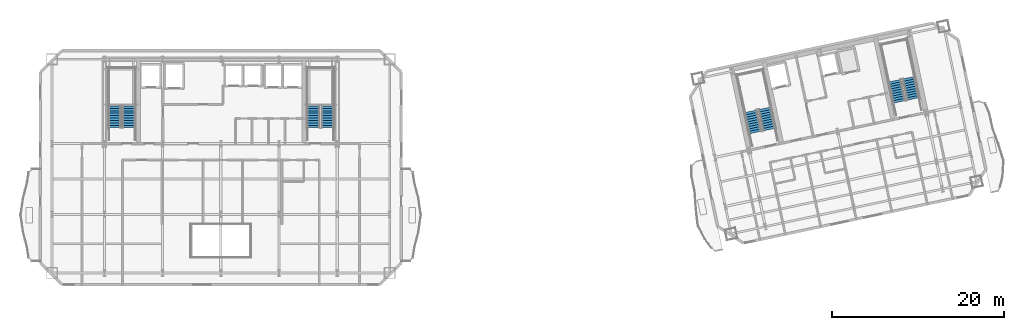
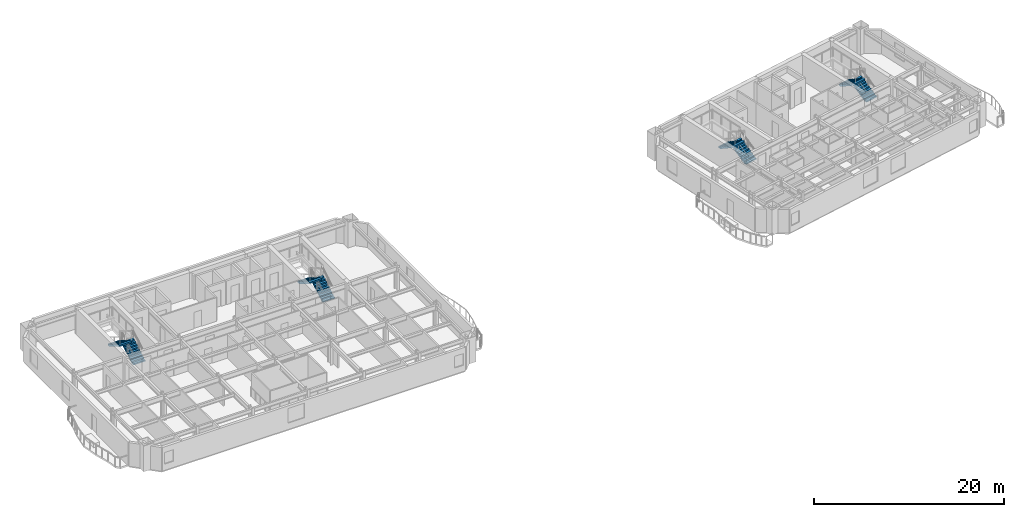
# One storey, part 9 of 14: 8 stair flights, 4 elements without a shape of their own.
"""IFC4 building model written with IfcOpenShell, lengths in metres."""

import ifcopenshell
import ifcopenshell.guid

model = None  # the IFC model being written
_history = None  # IfcOwnerHistory: only IFC2X3 demands one
_inside = {}  # id of a spatial element -> (the spatial element, [elements in it])
_under = {}  # id of a project, library or spatial element -> (it, [spatial elements below it])
_declared = {}  # id of a project -> (the project, [libraries it declares])
_typed = {}  # id of a type object -> (the type object, [elements of that type])
_made_of = {}  # id of a material, layer set ... -> (it, [elements and type objects made of it])


def new_model(schema):
    """Start an empty IFC model of exactly this schema.

    Asked for "IFC4X3", IfcOpenShell would pick the latest addendum, in which some entities
    have other attributes; the version numbers below select the first issue.
    IFC2X3 requires an IfcOwnerHistory on every rooted entity: one is made here for all.
    """
    global model, _history
    if schema == "IFC4X3":
        model = ifcopenshell.file(schema_version=(4, 3, 0, 0))
    else:
        model = ifcopenshell.file(schema=schema)
    _inside.clear()
    _under.clear()
    _declared.clear()
    _typed.clear()
    _made_of.clear()
    _history = None
    if model.schema == "IFC2X3":
        org = make("IfcOrganization", Name="unknown")
        user = make(
            "IfcPersonAndOrganization",
            ThePerson=make("IfcPerson", FamilyName="unknown"),
            TheOrganization=org,
        )
        app = make(
            "IfcApplication",
            ApplicationDeveloper=org,
            Version="unknown",
            ApplicationFullName="unknown",
            ApplicationIdentifier="unknown",
        )
        _history = make(
            "IfcOwnerHistory",
            OwningUser=user,
            OwningApplication=app,
            ChangeAction="ADDED",
            CreationDate=0,
        )
    return model


def make(cls, **values):
    """One entity of the class cls with the attributes given. An attribute that is None is left unset."""
    return model.create_entity(
        cls, **{name: value for name, value in values.items() if value is not None}
    )


def rooted(cls, **values):
    """An entity with a GlobalId (a new one), such as an element, a storey or a relation."""
    return make(cls, GlobalId=ifcopenshell.guid.new(), OwnerHistory=_history, **values)


def si_unit(unit_type, name, prefix=None):
    """IfcSIUnit, for example si_unit("LENGTHUNIT", "METRE", prefix="MILLI")."""
    return make("IfcSIUnit", UnitType=unit_type, Prefix=prefix, Name=name)


def assignment(units):
    """IfcUnitAssignment: the units of a project."""
    return None if units is None else make("IfcUnitAssignment", Units=units)


def point(xyz):
    """IfcCartesianPoint."""
    return None if xyz is None else make("IfcCartesianPoint", Coordinates=xyz)


def direction(xyz):
    """IfcDirection."""
    return None if xyz is None else make("IfcDirection", DirectionRatios=xyz)


def frame(location, z_axis=None, x_axis=None):
    """IfcAxis2Placement3D, a coordinate frame: its origin and axes. An axis left out is left unset."""
    return make(
        "IfcAxis2Placement3D",
        Location=point(location),
        Axis=direction(z_axis),
        RefDirection=direction(x_axis),
    )


def origin():
    """The frame at (0, 0, 0) with its axes left unset."""
    return frame((0.0, 0.0, 0.0))


def place(relative_to, where):
    """IfcLocalPlacement: puts the frame where relative to a parent placement (None: the world)."""
    return make(
        "IfcLocalPlacement", PlacementRelTo=relative_to, RelativePlacement=where
    )


def context(
    kind, dimensions, precision=None, world=None, true_north=None, identifier=None
):
    """IfcGeometricRepresentationContext, for example the 3D "Model" context."""
    return make(
        "IfcGeometricRepresentationContext",
        ContextIdentifier=identifier,
        ContextType=kind,
        CoordinateSpaceDimension=dimensions,
        Precision=precision,
        WorldCoordinateSystem=world,
        TrueNorth=true_north,
    )


def subcontext(parent, identifier, kind, view, scale=None):
    """IfcGeometricRepresentationSubContext, for example "Body" below "Model"."""
    return make(
        "IfcGeometricRepresentationSubContext",
        ContextIdentifier=identifier,
        ContextType=kind,
        ParentContext=parent,
        TargetScale=scale,
        TargetView=view,
    )


def project(units=None, contexts=None):
    """IfcProject with its units and contexts."""
    return rooted(
        "IfcProject",
        Name="project",
        RepresentationContexts=contexts,
        UnitsInContext=assignment(units),
    )


def spatial(cls, under=None, at=None, **own):
    """A site, building, storey or space (cls), placed at a placement, below another one or the project."""
    s = rooted(cls, ObjectPlacement=at, **own)
    if under is not None:
        _under.setdefault(under.id(), (under, []))[1].append(s)
    return s


def polyline(points):
    """IfcPolyline through the points."""
    return make("IfcPolyline", Points=[point(p) for p in points])


def outline(outer, holes=None, kind="AREA"):
    """IfcArbitraryClosedProfileDef: a profile drawn as a closed curve; with holes, ...WithVoids."""
    if holes is None:
        return make("IfcArbitraryClosedProfileDef", ProfileType=kind, OuterCurve=outer)
    return make(
        "IfcArbitraryProfileDefWithVoids",
        ProfileType=kind,
        OuterCurve=outer,
        InnerCurves=holes,
    )


def extrude(swept, where, along, depth):
    """IfcExtrudedAreaSolid: the profile swept, set in the frame where, extruded along a direction by depth."""
    return make(
        "IfcExtrudedAreaSolid",
        SweptArea=swept,
        Position=where,
        ExtrudedDirection=direction(along),
        Depth=depth,
    )


def shape(context_of_items, identifier, shape_type, items):
    """IfcShapeRepresentation: the items that make up one representation, for example the "Body"."""
    return make(
        "IfcShapeRepresentation",
        ContextOfItems=context_of_items,
        RepresentationIdentifier=identifier,
        RepresentationType=shape_type,
        Items=items,
    )


def material(Name=None, Category=None):
    """IfcMaterial."""
    return make("IfcMaterial", Name=Name, Category=Category)


def made_of(thing, what):
    """Note that an element or type object is made of a material, layer set ...; save() writes the relation."""
    if what is not None:
        _made_of.setdefault(what.id(), (what, []))[1].append(thing)
    return thing


def type_object(cls, material=None, **own):
    """A type object (cls), such as IfcWallType, which elements share."""
    return made_of(rooted(cls, **own), material)


def element(
    cls,
    number,
    at=None,
    inside=None,
    cuts=None,
    type_object=None,
    material=None,
    context=None,
    identifier="Body",
    shape_type=None,
    held_by="IfcProductDefinitionShape",
    body=None,
    shapes=None,
    **own,
):
    """One element of the class cls, such as IfcWall. Its Tag is "e" and its number.

    at: its placement. inside: the storey or other place that contains it. cuts: it is an
    opening in that element (IfcRelVoidsElement). A single representation is given by context,
    identifier, shape_type and body (its items); several are given by shapes. held_by: the class
    of the entity that holds the representations. save() writes the other relations.
    """
    e = rooted(cls, Tag="e%d" % number, ObjectPlacement=at, **own)
    if body is not None:
        shapes = [shape(context, identifier, shape_type, body)]
    if shapes is not None:
        e.Representation = make(held_by, Representations=shapes)
    if inside is not None:
        _inside.setdefault(inside.id(), (inside, []))[1].append(e)
    if cuts is not None:
        rooted(
            "IfcRelVoidsElement", RelatingBuildingElement=cuts, RelatedOpeningElement=e
        )
    if type_object is not None:
        _typed.setdefault(type_object.id(), (type_object, []))[1].append(e)
    return made_of(e, material)


def aggregate(whole, parts):
    """IfcRelAggregates: a whole, such as a stair, and the parts it consists of."""
    return rooted("IfcRelAggregates", RelatingObject=whole, RelatedObjects=parts)


def save(model, path):
    """Write the relations noted so far, then the file.

    IfcRelAggregates (storeys below a building ...), IfcRelContainedInSpatialStructure (elements
    in a storey), IfcRelDefinesByType, IfcRelAssociatesMaterial and IfcRelDeclares: one each for
    every whole, place, type object, material and project.
    """
    for whole, parts in _under.values():
        aggregate(whole, parts)
    for where, things in _inside.values():
        rooted(
            "IfcRelContainedInSpatialStructure",
            RelatedElements=things,
            RelatingStructure=where,
        )
    for kind, things in _typed.values():
        rooted("IfcRelDefinesByType", RelatedObjects=things, RelatingType=kind)
    for what, things in _made_of.values():
        rooted("IfcRelAssociatesMaterial", RelatedObjects=things, RelatingMaterial=what)
    for by, libraries in _declared.values():
        rooted("IfcRelDeclares", RelatingContext=by, RelatedDefinitions=libraries)
    model.write(path)


model = new_model("IFC4")

# Units and contexts
model_context = context("Model", 3, precision=1e-05, world=origin(), true_north=direction((0.0, 1.0)))
body_context = subcontext(model_context, "Body", "Model", "MODEL_VIEW")
ifc_project = project(units=[si_unit("LENGTHUNIT", "METRE"), si_unit("AREAUNIT", "SQUARE_METRE"), si_unit("VOLUMEUNIT", "CUBIC_METRE"), si_unit("PLANEANGLEUNIT", "RADIAN"), si_unit("MASSUNIT", "GRAM", prefix="KILO")], contexts=[model_context])

# Site, building, storey
site_placement = place(None, origin())
site = spatial("IfcSite", under=ifc_project, at=site_placement, CompositionType="ELEMENT")
building_placement = place(site_placement, origin())
building = spatial("IfcBuilding", under=site, at=building_placement, Name="Haevon Station Towers", CompositionType="ELEMENT")
storey_placement = place(building_placement, frame((0.0, 0.0, 169.199951171875)))
storey = spatial("IfcBuildingStorey", under=building, at=storey_placement, Name="L46", CompositionType="ELEMENT", Elevation=169.199951171875)

# Stair, stair flights
ifc_material = material(Name="Concrete C40/50", Category="concrete")
stair_type = type_object("IfcStairType", Name="STR-DL1450", PredefinedType="USERDEFINED", material=ifc_material)
stair_1_placement = place(storey_placement, origin())
stair_1 = element("IfcStair", 1, at=stair_1_placement, inside=storey, type_object=stair_type, Name="L46 Escape Stair ST1", ObjectType="TWO_RETURN_STAIR", PredefinedType="USERDEFINED")
stair_flight_type = type_object("IfcStairFlightType", Name="STF-ST1450", PredefinedType="STRAIGHT", material=ifc_material)
stair_flight_1_placement = place(storey_placement, frame((26.85498046875, 40.050048828125, 0.0), z_axis=(0.0, 0.0, 1.0), x_axis=(0.0, 1.0, 0.0)))
stair_flight_1 = element("IfcStairFlight", 2, at=stair_flight_1_placement, type_object=stair_flight_type, Name="L46 ST1 Flight 1", NumberOfRisers=10, NumberOfTreads=9, PredefinedType="STRAIGHT", RiserHeight=0.165, TreadLength=0.28, context=body_context, shape_type="SweptSolid", body=[
    extrude(outline(polyline([(0.0, 0.0), (0.0, 0.1650390625), (0.280029296875, 0.1650390625), (0.280029296875, 0.330078125), (0.56005859375, 0.330078125), (0.56005859375, 0.4951171875), (0.840087890625, 0.4951171875), (0.840087890625, 0.659912109375), (1.1201171875, 0.659912109375), (1.1201171875, 0.824951171875), (1.39990234375, 0.824951171875), (1.39990234375, 0.989990234375), (1.679931640625, 0.989990234375), (1.679931640625, 1.155029296875), (1.9599609375, 1.155029296875), (1.9599609375, 1.320068359375), (2.239990234375, 1.320068359375), (2.239990234375, 1.485107421875), (2.52001953125, 1.485107421875), (2.52001953125, 1.64990234375), (2.52001953125, 1.29931640625), (0.31494140625, 0.0), (0.0, 0.0)])), frame((0.0, 0.72509765625, 0.0), z_axis=(0.0, -1.0, 0.0), x_axis=(1.0, 0.0, 0.0)), (0.0, 0.0, 1.0), 1.449951171875),
])
stair_flight_2_placement = place(storey_placement, frame((25.205078125, 42.570068359375, 1.650146484375), z_axis=(0.0, 0.0, 1.0), x_axis=(0.0, -1.0, 0.0)))
stair_flight_2 = element("IfcStairFlight", 3, at=stair_flight_2_placement, type_object=stair_flight_type, Name="L46 ST1 Flight 2", NumberOfRisers=10, NumberOfTreads=9, PredefinedType="STRAIGHT", RiserHeight=0.165, TreadLength=0.28, context=body_context, shape_type="SweptSolid", body=[
    extrude(outline(polyline([(0.0, 0.0), (0.0, 0.1650390625), (0.280029296875, 0.1650390625), (0.280029296875, 0.330078125), (0.56005859375, 0.330078125), (0.56005859375, 0.4951171875), (0.840087890625, 0.4951171875), (0.840087890625, 0.659912109375), (1.1201171875, 0.659912109375), (1.1201171875, 0.824951171875), (1.39990234375, 0.824951171875), (1.39990234375, 0.989990234375), (1.679931640625, 0.989990234375), (1.679931640625, 1.155029296875), (1.9599609375, 1.155029296875), (1.9599609375, 1.320068359375), (2.239990234375, 1.320068359375), (2.239990234375, 1.485107421875), (2.52001953125, 1.485107421875), (2.52001953125, 1.64990234375), (2.52001953125, 1.29931640625), (0.31494140625, 0.0), (0.0, 0.0)])), frame((0.0, 0.72509765625, 0.0), z_axis=(0.0, -1.0, 0.0), x_axis=(1.0, 0.0, 0.0)), (0.0, 0.0, 1.0), 1.449951171875),
])
aggregate(stair_1, [stair_flight_1, stair_flight_2])

stair_2_placement = place(storey_placement, origin())
stair_2 = element("IfcStair", 4, at=stair_2_placement, inside=storey, type_object=stair_type, Name="L46 Escape Stair ST2", ObjectType="TWO_RETURN_STAIR", PredefinedType="USERDEFINED")
stair_flight_3_placement = place(storey_placement, frame((49.89501953125, 40.050048828125, 0.0), z_axis=(0.0, 0.0, 1.0), x_axis=(0.0, 1.0, 0.0)))
stair_flight_3 = element("IfcStairFlight", 5, at=stair_flight_3_placement, type_object=stair_flight_type, Name="L46 ST2 Flight 1", NumberOfRisers=10, NumberOfTreads=9, PredefinedType="STRAIGHT", RiserHeight=0.165, TreadLength=0.28, context=body_context, shape_type="SweptSolid", body=[
    extrude(outline(polyline([(0.0, 0.0), (0.0, 0.1650390625), (0.280029296875, 0.1650390625), (0.280029296875, 0.330078125), (0.56005859375, 0.330078125), (0.56005859375, 0.4951171875), (0.840087890625, 0.4951171875), (0.840087890625, 0.659912109375), (1.1201171875, 0.659912109375), (1.1201171875, 0.824951171875), (1.39990234375, 0.824951171875), (1.39990234375, 0.989990234375), (1.679931640625, 0.989990234375), (1.679931640625, 1.155029296875), (1.9599609375, 1.155029296875), (1.9599609375, 1.320068359375), (2.239990234375, 1.320068359375), (2.239990234375, 1.485107421875), (2.52001953125, 1.485107421875), (2.52001953125, 1.64990234375), (2.52001953125, 1.29931640625), (0.31494140625, 0.0), (0.0, 0.0)])), frame((0.0, 0.72509765625, 0.0), z_axis=(0.0, -1.0, 0.0), x_axis=(1.0, 0.0, 0.0)), (0.0, 0.0, 1.0), 1.449951171875),
])
stair_flight_4_placement = place(storey_placement, frame((48.2451171875, 42.570068359375, 1.650146484375), z_axis=(0.0, 0.0, 1.0), x_axis=(0.0, -1.0, 0.0)))
stair_flight_4 = element("IfcStairFlight", 6, at=stair_flight_4_placement, type_object=stair_flight_type, Name="L46 ST2 Flight 2", NumberOfRisers=10, NumberOfTreads=9, PredefinedType="STRAIGHT", RiserHeight=0.165, TreadLength=0.28, context=body_context, shape_type="SweptSolid", body=[
    extrude(outline(polyline([(0.0, 0.0), (0.0, 0.1650390625), (0.280029296875, 0.1650390625), (0.280029296875, 0.330078125), (0.56005859375, 0.330078125), (0.56005859375, 0.4951171875), (0.840087890625, 0.4951171875), (0.840087890625, 0.659912109375), (1.1201171875, 0.659912109375), (1.1201171875, 0.824951171875), (1.39990234375, 0.824951171875), (1.39990234375, 0.989990234375), (1.679931640625, 0.989990234375), (1.679931640625, 1.155029296875), (1.9599609375, 1.155029296875), (1.9599609375, 1.320068359375), (2.239990234375, 1.320068359375), (2.239990234375, 1.485107421875), (2.52001953125, 1.485107421875), (2.52001953125, 1.64990234375), (2.52001953125, 1.29931640625), (0.31494140625, 0.0), (0.0, 0.0)])), frame((0.0, 0.72509765625, 0.0), z_axis=(0.0, -1.0, 0.0), x_axis=(1.0, 0.0, 0.0)), (0.0, 0.0, 1.0), 1.449951171875),
])
aggregate(stair_2, [stair_flight_3, stair_flight_4])

stair_3_placement = place(storey_placement, origin())
stair_3 = element("IfcStair", 7, at=stair_3_placement, inside=storey, type_object=stair_type, Name="L46 Escape Stair ST3", ObjectType="TWO_RETURN_STAIR", PredefinedType="USERDEFINED")
stair_flight_5_placement = place(storey_placement, frame((101.1015625, 39.8330078125, 0.0), z_axis=(0.0, 0.0, 1.0), x_axis=(-0.207911690818, 0.978147600734, 0.0)))
stair_flight_5 = element("IfcStairFlight", 8, at=stair_flight_5_placement, type_object=stair_flight_type, Name="L46 ST3 Flight 1", NumberOfRisers=10, NumberOfTreads=9, PredefinedType="STRAIGHT", RiserHeight=0.165, TreadLength=0.28, context=body_context, shape_type="SweptSolid", body=[
    extrude(outline(polyline([(0.0, 0.0), (0.0, 0.1650390625), (0.280029296875, 0.1650390625), (0.280029296875, 0.330078125), (0.56005859375, 0.330078125), (0.56005859375, 0.4951171875), (0.840087890625, 0.4951171875), (0.840087890625, 0.659912109375), (1.1201171875, 0.659912109375), (1.1201171875, 0.824951171875), (1.39990234375, 0.824951171875), (1.39990234375, 0.989990234375), (1.679931640625, 0.989990234375), (1.679931640625, 1.155029296875), (1.9599609375, 1.155029296875), (1.9599609375, 1.320068359375), (2.239990234375, 1.320068359375), (2.239990234375, 1.485107421875), (2.52001953125, 1.485107421875), (2.52001953125, 1.64990234375), (2.52001953125, 1.29931640625), (0.31494140625, 0.0), (0.0, 0.0)])), frame((0.0, 0.72509765625, 0.0), z_axis=(0.0, -1.0, 0.0), x_axis=(1.0, 0.0, 0.0)), (0.0, 0.0, 1.0), 1.449951171875),
])
stair_flight_6_placement = place(storey_placement, frame((98.9638671875, 41.955078125, 1.650146484375), z_axis=(0.0, 0.0, 1.0), x_axis=(0.207911690818, -0.978147600734, 0.0)))
stair_flight_6 = element("IfcStairFlight", 9, at=stair_flight_6_placement, type_object=stair_flight_type, Name="L46 ST3 Flight 2", NumberOfRisers=10, NumberOfTreads=9, PredefinedType="STRAIGHT", RiserHeight=0.165, TreadLength=0.28, context=body_context, shape_type="SweptSolid", body=[
    extrude(outline(polyline([(0.0, 0.0), (0.0, 0.1650390625), (0.280029296875, 0.1650390625), (0.280029296875, 0.330078125), (0.56005859375, 0.330078125), (0.56005859375, 0.4951171875), (0.840087890625, 0.4951171875), (0.840087890625, 0.659912109375), (1.1201171875, 0.659912109375), (1.1201171875, 0.824951171875), (1.39990234375, 0.824951171875), (1.39990234375, 0.989990234375), (1.679931640625, 0.989990234375), (1.679931640625, 1.155029296875), (1.9599609375, 1.155029296875), (1.9599609375, 1.320068359375), (2.239990234375, 1.320068359375), (2.239990234375, 1.485107421875), (2.52001953125, 1.485107421875), (2.52001953125, 1.64990234375), (2.52001953125, 1.29931640625), (0.31494140625, 0.0), (0.0, 0.0)])), frame((0.0, 0.72509765625, 0.0), z_axis=(0.0, -1.0, 0.0), x_axis=(1.0, 0.0, 0.0)), (0.0, 0.0, 1.0), 1.449951171875),
])
aggregate(stair_3, [stair_flight_5, stair_flight_6])

stair_4_placement = place(storey_placement, origin())
stair_4 = element("IfcStair", 10, at=stair_4_placement, inside=storey, type_object=stair_type, Name="L46 Escape Stair ST4", ObjectType="TWO_RETURN_STAIR", PredefinedType="USERDEFINED")
stair_flight_7_placement = place(storey_placement, frame((117.788818359375, 43.380126953125, 0.0), z_axis=(0.0, 0.0, 1.0), x_axis=(-0.207911690818, 0.978147600734, 0.0)))
stair_flight_7 = element("IfcStairFlight", 11, at=stair_flight_7_placement, type_object=stair_flight_type, Name="L46 ST4 Flight 1", NumberOfRisers=10, NumberOfTreads=9, PredefinedType="STRAIGHT", RiserHeight=0.165, TreadLength=0.28, context=body_context, shape_type="SweptSolid", body=[
    extrude(outline(polyline([(0.0, 0.0), (0.0, 0.1650390625), (0.280029296875, 0.1650390625), (0.280029296875, 0.330078125), (0.56005859375, 0.330078125), (0.56005859375, 0.4951171875), (0.840087890625, 0.4951171875), (0.840087890625, 0.659912109375), (1.1201171875, 0.659912109375), (1.1201171875, 0.824951171875), (1.39990234375, 0.824951171875), (1.39990234375, 0.989990234375), (1.679931640625, 0.989990234375), (1.679931640625, 1.155029296875), (1.9599609375, 1.155029296875), (1.9599609375, 1.320068359375), (2.239990234375, 1.320068359375), (2.239990234375, 1.485107421875), (2.52001953125, 1.485107421875), (2.52001953125, 1.64990234375), (2.52001953125, 1.29931640625), (0.31494140625, 0.0), (0.0, 0.0)])), frame((0.0, 0.72509765625, 0.0), z_axis=(0.0, -1.0, 0.0), x_axis=(1.0, 0.0, 0.0)), (0.0, 0.0, 1.0), 1.449951171875),
])
stair_flight_8_placement = place(storey_placement, frame((115.65087890625, 45.501953125, 1.650146484375), z_axis=(0.0, 0.0, 1.0), x_axis=(0.207911690818, -0.978147600734, 0.0)))
stair_flight_8 = element("IfcStairFlight", 12, at=stair_flight_8_placement, type_object=stair_flight_type, Name="L46 ST4 Flight 2", NumberOfRisers=10, NumberOfTreads=9, PredefinedType="STRAIGHT", RiserHeight=0.165, TreadLength=0.28, context=body_context, shape_type="SweptSolid", body=[
    extrude(outline(polyline([(0.0, 0.0), (0.0, 0.1650390625), (0.280029296875, 0.1650390625), (0.280029296875, 0.330078125), (0.56005859375, 0.330078125), (0.56005859375, 0.4951171875), (0.840087890625, 0.4951171875), (0.840087890625, 0.659912109375), (1.1201171875, 0.659912109375), (1.1201171875, 0.824951171875), (1.39990234375, 0.824951171875), (1.39990234375, 0.989990234375), (1.679931640625, 0.989990234375), (1.679931640625, 1.155029296875), (1.9599609375, 1.155029296875), (1.9599609375, 1.320068359375), (2.239990234375, 1.320068359375), (2.239990234375, 1.485107421875), (2.52001953125, 1.485107421875), (2.52001953125, 1.64990234375), (2.52001953125, 1.29931640625), (0.31494140625, 0.0), (0.0, 0.0)])), frame((0.0, 0.72509765625, 0.0), z_axis=(0.0, -1.0, 0.0), x_axis=(1.0, 0.0, 0.0)), (0.0, 0.0, 1.0), 1.449951171875),
])
aggregate(stair_4, [stair_flight_7, stair_flight_8])

save(model, "model.ifc")
